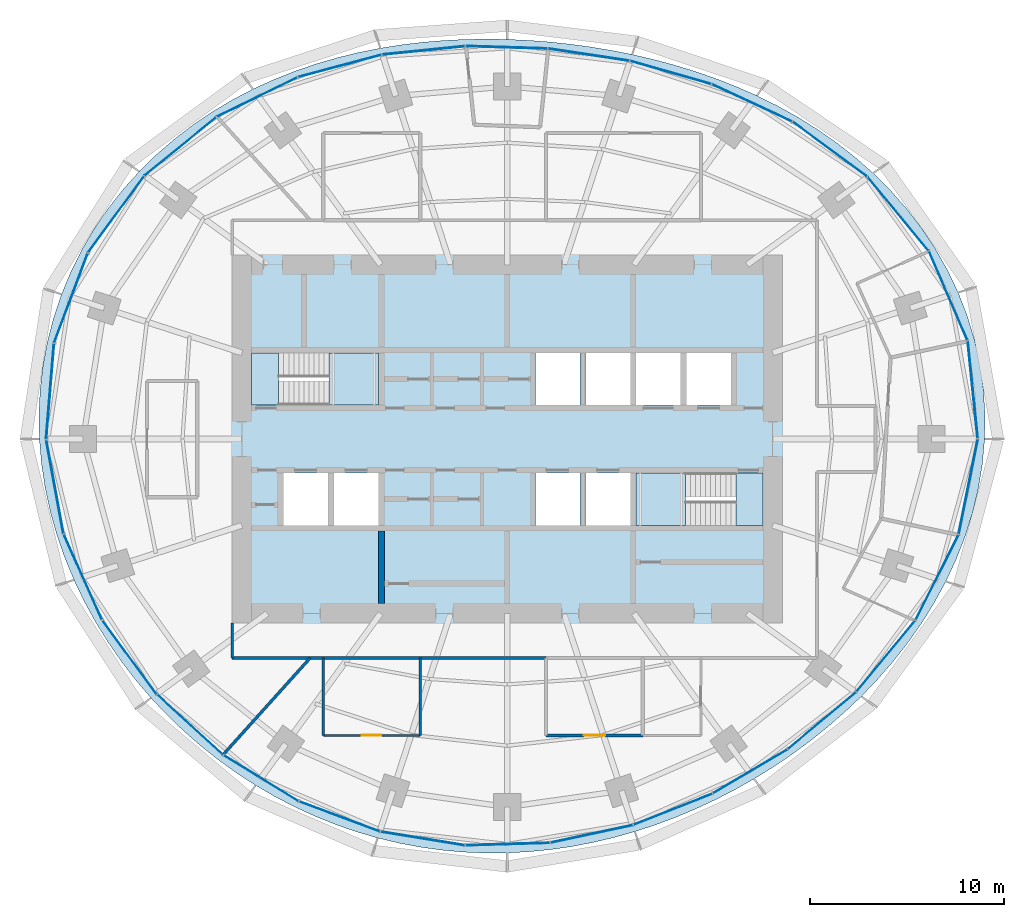
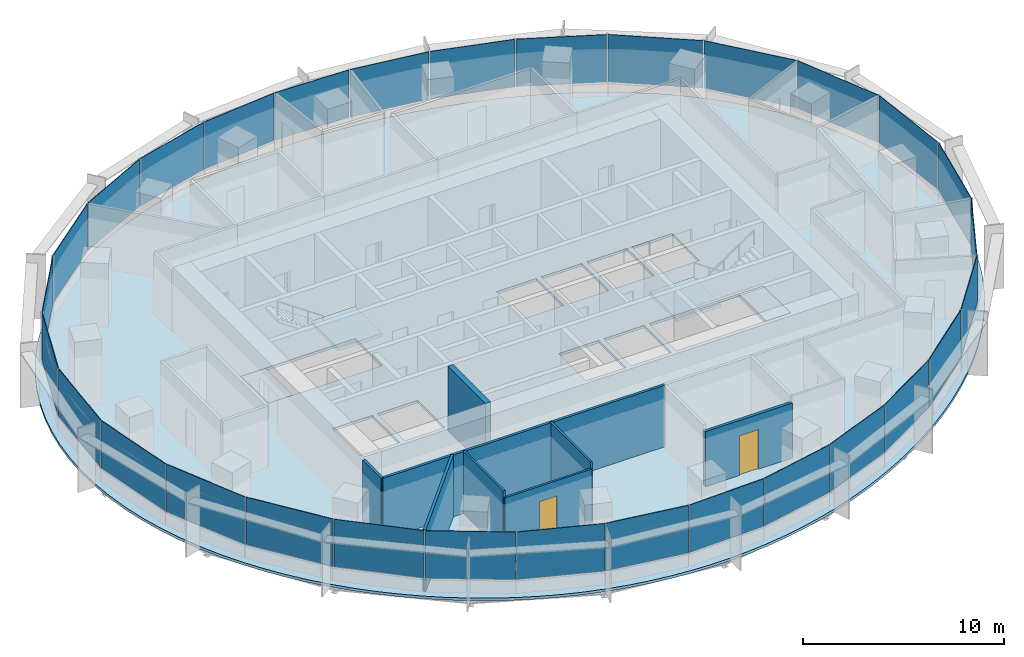
# One storey, part 9 of 15: 30 plates, 8 walls, 5 slabs, 2 doors, 2 openings, 8 elements without a shape of their own.
"""IFC4 building model written with IfcOpenShell, lengths in metres."""

from ifc_helpers import new_model, si_unit, direction, frame, frame_2d, origin, origin_2d, place, context, subcontext, project, spatial, polyline, rectangle, outline, extrude, material, layer, layer_set, type_object, element, fill, aggregate, save


model = new_model("IFC4")

# Units and contexts
model_context = context("Model", 3, precision=1e-05, world=origin(), true_north=direction((0.0, 1.0)))
body_context = subcontext(model_context, "Body", "Model", "MODEL_VIEW")
ifc_project = project(units=[si_unit("LENGTHUNIT", "METRE"), si_unit("AREAUNIT", "SQUARE_METRE"), si_unit("VOLUMEUNIT", "CUBIC_METRE"), si_unit("PLANEANGLEUNIT", "RADIAN"), si_unit("MASSUNIT", "GRAM", prefix="KILO")], contexts=[model_context])

# Site, building, storey
site_placement = place(None, origin())
site = spatial("IfcSite", under=ifc_project, at=site_placement, CompositionType="ELEMENT")
building_placement = place(site_placement, origin())
building = spatial("IfcBuilding", under=site, at=building_placement, Name="Marramba Exchange Tower", CompositionType="ELEMENT")
storey_placement = place(building_placement, frame((0.0, 0.0, 207.199951171875)))
storey = spatial("IfcBuildingStorey", under=building, at=storey_placement, Name="L50", CompositionType="ELEMENT", Elevation=207.199951171875)

# Slab
ifc_material_1 = material(Name="Concrete N40", Category="concrete")
ifc_layer_1 = layer(ifc_material_1, 0.159912109375)
ifc_layer_set_1 = layer_set([ifc_layer_1], Name="Composite floor slab 160")
slab_type_1 = type_object("IfcSlabType", Name="Composite floor slab 160", PredefinedType="FLOOR", material=ifc_layer_set_1)
slab_1_placement = place(storey_placement, frame((0.0, 0.0, -0.159912109375)))
element("IfcSlab", 1, at=slab_1_placement, inside=storey, type_object=slab_type_1, Name="Floor slab L50", PredefinedType="FLOOR", context=body_context, shape_type="SweptSolid", body=[
    extrude(outline(polyline([(24.64404296875, 0.0), (24.661376953125, 1.29248046875), (24.580078125, 2.58349609375), (24.399658203125, 3.864501953125), (24.12109375, 5.127197265625), (23.7470703125, 6.363037109375), (23.281494140625, 7.564697265625), (22.72900390625, 8.724853515625), (22.095947265625, 9.837646484375), (21.388427734375, 10.89794921875), (20.614013671875, 11.901611328125), (19.780029296875, 12.845458984375), (18.894287109375, 13.7275390625), (17.964111328125, 14.547119140625), (16.996826171875, 15.303955078125), (15.9990234375, 15.9990234375), (14.977294921875, 16.634033203125), (13.936767578125, 17.21044921875), (12.882568359375, 17.7314453125), (11.819091796875, 18.19970703125), (10.749267578125, 18.6181640625), (9.67578125, 18.989990234375), (8.60107421875, 19.318115234375), (7.52587890625, 19.60546875), (6.451171875, 19.8544921875), (5.377197265625, 20.067626953125), (4.303466796875, 20.246337890625), (3.229736328125, 20.39208984375), (2.1552734375, 20.50537109375), (1.078857421875, 20.5869140625), (0.0, 20.63623046875), (-1.082275390625, 20.652587890625), (-2.168701171875, 20.634765625), (-3.259765625, 20.580810546875), (-4.35498046875, 20.4892578125), (-5.45458984375, 20.35693359375), (-6.557373046875, 20.181884765625), (-7.662353515625, 19.9609375), (-8.76708984375, 19.691162109375), (-9.869384765625, 19.369873046875), (-10.96630859375, 18.994384765625), (-12.05419921875, 18.561767578125), (-13.128662109375, 18.070068359375), (-14.185546875, 17.517578125), (-15.218994140625, 16.902587890625), (-16.22412109375, 16.22412109375), (-17.195068359375, 15.482421875), (-18.12548828125, 14.677734375), (-19.009521484375, 13.811279296875), (-19.841064453125, 12.885009765625), (-20.614013671875, 11.901611328125), (-21.32275390625, 10.864501953125), (-21.9619140625, 9.778076171875), (-22.52685546875, 8.647216796875), (-23.01318359375, 7.477294921875), (-23.417724609375, 6.274658203125), (-23.73779296875, 5.045654296875), (-23.971923828125, 3.796875), (-24.119384765625, 2.53515625), (-24.180419921875, 1.267333984375), (-24.156005859375, 0.0), (-24.04833984375, -1.26025390625), (-23.860107421875, -2.5078125), (-23.594482421875, -3.737060546875), (-23.25537109375, -4.943115234375), (-22.846923828125, -6.121826171875), (-22.373291015625, -7.26953125), (-21.8388671875, -8.38330078125), (-21.247802734375, -9.460205078125), (-20.604248046875, -10.49853515625), (-19.912109375, -11.496337890625), (-19.174560546875, -12.4521484375), (-18.395263671875, -13.364990234375), (-17.5771484375, -14.233642578125), (-16.72265625, -15.05712890625), (-15.834228515625, -15.834228515625), (-14.914794921875, -16.564453125), (-13.966064453125, -17.24658203125), (-12.990234375, -17.879638671875), (-11.98974609375, -18.46240234375), (-10.96630859375, -18.994384765625), (-9.922607421875, -19.47412109375), (-8.860595703125, -19.901123046875), (-7.78271484375, -20.2744140625), (-6.691162109375, -20.593505859375), (-5.5888671875, -20.858154296875), (-4.478271484375, -21.068115234375), (-3.361328125, -21.22314453125), (-2.2412109375, -21.32373046875), (-1.119873046875, -21.370361328125), (0.0, -21.36376953125), (1.116455078125, -21.3046875), (2.2275390625, -21.194580078125), (3.33154296875, -21.0341796875), (4.426513671875, -20.8251953125), (5.511474609375, -20.56884765625), (6.5849609375, -20.266357421875), (7.646240234375, -19.919189453125), (8.694580078125, -19.528076171875), (9.72900390625, -19.09423828125), (10.749267578125, -18.6181640625), (11.75439453125, -18.100341796875), (12.744140625, -17.541015625), (13.71728515625, -16.939697265625), (14.6728515625, -16.2958984375), (15.609130859375, -15.609130859375), (16.5244140625, -14.878662109375), (17.415771484375, -14.10302734375), (18.280029296875, -13.28125), (19.11376953125, -12.41259765625), (19.912109375, -11.496337890625), (20.669921875, -10.531982421875), (21.3818359375, -9.519775390625), (22.041259765625, -8.4609375), (22.641845703125, -7.356689453125), (23.176513671875, -6.210205078125), (23.638671875, -5.024658203125), (24.022216796875, -3.8046875), (24.32080078125, -2.55615234375), (24.529541015625, -1.28564453125), (24.64404296875, 0.0)]), holes=[polyline([(1.449951171875, 1.75), (3.75, 1.75), (3.75, 4.449951171875), (1.449951171875, 4.449951171875), (1.449951171875, 1.75)]), polyline([(4.050048828125, 1.75), (6.35009765625, 1.75), (6.35009765625, 4.449951171875), (4.050048828125, 4.449951171875), (4.050048828125, 1.75)]), polyline([(1.449951171875, -4.449951171875), (3.75, -4.449951171875), (3.75, -1.75), (1.449951171875, -1.75), (1.449951171875, -4.449951171875)]), polyline([(4.050048828125, -4.449951171875), (6.35009765625, -4.449951171875), (6.35009765625, -1.75), (4.050048828125, -1.75), (4.050048828125, -4.449951171875)]), polyline([(6.64990234375, 1.75), (8.949951171875, 1.75), (8.949951171875, 4.449951171875), (6.64990234375, 4.449951171875), (6.64990234375, 1.75)]), polyline([(-8.949951171875, -4.449951171875), (-6.64990234375, -4.449951171875), (-6.64990234375, -1.75), (-8.949951171875, -1.75), (-8.949951171875, -4.449951171875)]), polyline([(-11.550048828125, -4.449951171875), (-9.25, -4.449951171875), (-9.25, -1.75), (-11.550048828125, -1.75), (-11.550048828125, -4.449951171875)]), polyline([(9.25, 1.75), (11.550048828125, 1.75), (11.550048828125, 4.449951171875), (9.25, 4.449951171875), (9.25, 1.75)]), polyline([(-13.199951171875, 1.75), (-6.64990234375, 1.75), (-6.64990234375, 4.449951171875), (-13.199951171875, 4.449951171875), (-13.199951171875, 1.75)]), polyline([(6.64990234375, -4.449951171875), (13.199951171875, -4.449951171875), (13.199951171875, -1.75), (6.64990234375, -1.75), (6.64990234375, -4.449951171875)])]), origin(), (0.0, 0.0, 1.0), 0.159912109375),
])

# Curtain wall, plates
ifc_material_2 = material(Name="Aluminium framing, bronze anodised", Category="aluminium")
curtain_wall_type = type_object("IfcCurtainWallType", Name="Office ribbon curtain wall", PredefinedType="USERDEFINED", material=ifc_material_2)
curtain_wall_1_placement = place(storey_placement, origin())
curtain_wall_1 = element("IfcCurtainWall", 2, at=curtain_wall_1_placement, inside=storey, type_object=curtain_wall_type, Name="Curtain wall CW4 L50 F01-F05", ObjectType="RIBBON CURTAIN WALL", PredefinedType="USERDEFINED")
ifc_material_3 = material(Name="Laminated double glazed unit 10.76 + 16 + 10.76, bronze tinted", Category="glass")
ifc_layer_2 = layer(ifc_material_3, 0.03759765625)
ifc_layer_set_2 = layer_set([ifc_layer_2], Name="Office ribbon curtain wall panel")
plate_type = type_object("IfcPlateType", Name="Office ribbon curtain wall panel", PredefinedType="CURTAIN_PANEL", material=ifc_layer_set_2)
plate_1_placement = place(storey_placement, frame((24.033203125, 2.556884765625, 0.860107421875), z_axis=(0.0, 0.0, 1.0), x_axis=(-0.101422472607, 0.994843446001, 0.0)))
plate_1 = element("IfcPlate", 3, at=plate_1_placement, type_object=plate_type, Name="CW4 vision panel", PredefinedType="CURTAIN_PANEL", context=body_context, shape_type="SweptSolid", body=[
    extrude(rectangle(XDim=5.0205078125, YDim=0.03759765625, at=origin_2d()), origin(), (0.0, 0.0, 1.0), 2.8798828125),
])
plate_2_placement = place(storey_placement, frame((22.765625, 7.40234375, 0.860107421875), z_axis=(0.0, 0.0, 1.0), x_axis=(-0.396193346946, 0.918167104527, 0.0)))
plate_2 = element("IfcPlate", 4, at=plate_2_placement, type_object=plate_type, Name="CW4 vision panel", PredefinedType="CURTAIN_PANEL", context=body_context, shape_type="SweptSolid", body=[
    extrude(rectangle(XDim=4.99462890625, YDim=0.03759765625, at=origin_2d()), origin(), (0.0, 0.0, 1.0), 2.8798828125),
])
plate_3_placement = place(storey_placement, frame((20.174560546875, 11.631591796875, 0.860107421875), z_axis=(0.0, 0.0, 1.0), x_axis=(-0.637350227411, 0.770574258342, 0.0)))
plate_3 = element("IfcPlate", 5, at=plate_3_placement, type_object=plate_type, Name="CW4 vision panel", PredefinedType="CURTAIN_PANEL", context=body_context, shape_type="SweptSolid", body=[
    extrude(rectangle(XDim=4.90576171875, YDim=0.03759765625, at=origin_2d()), origin(), (0.0, 0.0, 1.0), 2.8798828125),
])
plate_4_placement = place(storey_placement, frame((16.653076171875, 14.965576171875, 0.860107421875), z_axis=(0.0, 0.0, 1.0), x_axis=(-0.804877259395, 0.593441317494, 0.0)))
plate_4 = element("IfcPlate", 6, at=plate_4_placement, type_object=plate_type, Name="CW4 vision panel", PredefinedType="CURTAIN_PANEL", context=body_context, shape_type="SweptSolid", body=[
    extrude(rectangle(XDim=4.745849609375, YDim=0.03759765625, at=origin_2d()), origin(), (0.0, 0.0, 1.0), 2.8798828125),
])
plate_5_placement = place(storey_placement, frame((12.63134765625, 17.357177734375, 0.860107421875), z_axis=(0.0, 0.0, 1.0), x_axis=(-0.906533907301, 0.422133006189, 0.0)))
plate_5 = element("IfcPlate", 7, at=plate_5_placement, type_object=plate_type, Name="CW4 vision panel", PredefinedType="CURTAIN_PANEL", context=body_context, shape_type="SweptSolid", body=[
    extrude(rectangle(XDim=4.53857421875, YDim=0.03759765625, at=origin_2d()), origin(), (0.0, 0.0, 1.0), 2.8798828125),
])
aggregate(curtain_wall_1, [plate_1, plate_2, plate_3, plate_4, plate_5])

curtain_wall_2_placement = place(storey_placement, origin())
curtain_wall_2 = element("IfcCurtainWall", 8, at=curtain_wall_2_placement, inside=storey, type_object=curtain_wall_type, Name="Curtain wall CW4 L50 F06-F10", ObjectType="RIBBON CURTAIN WALL", PredefinedType="USERDEFINED")
plate_6_placement = place(storey_placement, frame((8.4296875, 18.926513671875, 0.860107421875), z_axis=(0.0, 0.0, 1.0), x_axis=(-0.961658954195, 0.274248164656, 0.0)))
plate_6 = element("IfcPlate", 9, at=plate_6_placement, type_object=plate_type, Name="CW4 vision panel", PredefinedType="CURTAIN_PANEL", context=body_context, shape_type="SweptSolid", body=[
    extrude(rectangle(XDim=4.33984375, YDim=0.03759765625, at=origin_2d()), origin(), (0.0, 0.0, 1.0), 2.8798828125),
])
plate_7_placement = place(storey_placement, frame((4.201171875, 19.843994140625, 0.860107421875), z_axis=(0.0, 0.0, 1.0), x_axis=(-0.988868065698, 0.148794988635, 0.0)))
plate_7 = element("IfcPlate", 10, at=plate_7_placement, type_object=plate_type, Name="CW4 vision panel", PredefinedType="CURTAIN_PANEL", context=body_context, shape_type="SweptSolid", body=[
    extrude(rectangle(XDim=4.2119140625, YDim=0.03759765625, at=origin_2d()), origin(), (0.0, 0.0, 1.0), 2.8798828125),
])
plate_8_placement = place(storey_placement, frame((-0.036865234375, 20.222900390625, 0.860107421875), z_axis=(0.0, 0.0, 1.0), x_axis=(-0.999538000143, 0.03039385249, 0.0)))
plate_8 = element("IfcPlate", 11, at=plate_8_placement, type_object=plate_type, Name="CW4 vision panel", PredefinedType="CURTAIN_PANEL", context=body_context, shape_type="SweptSolid", body=[
    extrude(rectangle(XDim=4.19287109375, YDim=0.03759765625, at=origin_2d()), origin(), (0.0, 0.0, 1.0), 2.8798828125),
])
plate_9_placement = place(storey_placement, frame((-4.320556640625, 20.064697265625, 0.860107421875), z_axis=(0.0, 0.0, 1.0), x_axis=(-0.994900357369, -0.100862673507, 0.0)))
plate_9 = element("IfcPlate", 12, at=plate_9_placement, type_object=plate_type, Name="CW4 vision panel", PredefinedType="CURTAIN_PANEL", context=body_context, shape_type="SweptSolid", body=[
    extrude(rectangle(XDim=4.279296875, YDim=0.03759765625, at=origin_2d()), origin(), (0.0, 0.0, 1.0), 2.8798828125),
])
plate_10_placement = place(storey_placement, frame((-8.6494140625, 19.262451171875, 0.860107421875), z_axis=(0.0, 0.0, 1.0), x_axis=(-0.966240653155, -0.257641223778, 0.0)))
plate_10 = element("IfcPlate", 13, at=plate_10_placement, type_object=plate_type, Name="CW4 vision panel", PredefinedType="CURTAIN_PANEL", context=body_context, shape_type="SweptSolid", body=[
    extrude(rectangle(XDim=4.433837890625, YDim=0.03759765625, at=origin_2d()), origin(), (0.0, 0.0, 1.0), 2.8798828125),
])
aggregate(curtain_wall_2, [plate_6, plate_7, plate_8, plate_9, plate_10])

curtain_wall_3_placement = place(storey_placement, origin())
curtain_wall_3 = element("IfcCurtainWall", 14, at=curtain_wall_3_placement, inside=storey, type_object=curtain_wall_type, Name="Curtain wall CW4 L50 F11-F15", ObjectType="RIBBON CURTAIN WALL", PredefinedType="USERDEFINED")
plate_11_placement = place(storey_placement, frame((-12.9150390625, 17.653564453125, 0.860107421875), z_axis=(0.0, 0.0, 1.0), x_axis=(-0.898500518805, -0.438972456661, 0.0)))
plate_11 = element("IfcPlate", 15, at=plate_11_placement, type_object=plate_type, Name="CW4 vision panel", PredefinedType="CURTAIN_PANEL", context=body_context, shape_type="SweptSolid", body=[
    extrude(rectangle(XDim=4.607177734375, YDim=0.03759765625, at=origin_2d()), origin(), (0.0, 0.0, 1.0), 2.8798828125),
])
plate_12_placement = place(storey_placement, frame((-16.87890625, 15.10498046875, 0.860107421875), z_axis=(0.0, 0.0, 1.0), x_axis=(-0.776432169145, -0.630200830464, 0.0)))
plate_12 = element("IfcPlate", 16, at=plate_12_placement, type_object=plate_type, Name="CW4 vision panel", PredefinedType="CURTAIN_PANEL", context=body_context, shape_type="SweptSolid", body=[
    extrude(rectangle(XDim=4.7587890625, YDim=0.03759765625, at=origin_2d()), origin(), (0.0, 0.0, 1.0), 2.8798828125),
])
plate_13_placement = place(storey_placement, frame((-20.2021484375, 11.596435546875, 0.860107421875), z_axis=(0.0, 0.0, 1.0), x_axis=(-0.591962922138, -0.805965197024, 0.0)))
plate_13 = element("IfcPlate", 17, at=plate_13_placement, type_object=plate_type, Name="CW4 vision panel", PredefinedType="CURTAIN_PANEL", context=body_context, shape_type="SweptSolid", body=[
    extrude(rectangle(XDim=4.865478515625, YDim=0.03759765625, at=origin_2d()), origin(), (0.0, 0.0, 1.0), 2.8798828125),
])
plate_14_placement = place(storey_placement, frame((-22.529296875, 7.276123046875, 0.860107421875), z_axis=(0.0, 0.0, 1.0), x_axis=(-0.351951515885, -0.936018231909, 0.0)))
plate_14 = element("IfcPlate", 18, at=plate_14_placement, type_object=plate_type, Name="CW4 vision panel", PredefinedType="CURTAIN_PANEL", context=body_context, shape_type="SweptSolid", body=[
    extrude(rectangle(XDim=4.921630859375, YDim=0.03759765625, at=origin_2d()), origin(), (0.0, 0.0, 1.0), 2.8798828125),
])
plate_15_placement = place(storey_placement, frame((-23.603271484375, 2.45654296875, 0.860107421875), z_axis=(0.0, 0.0, 1.0), x_axis=(-0.082280890264, -0.996609178714, 0.0)))
plate_15 = element("IfcPlate", 19, at=plate_15_placement, type_object=plate_type, Name="CW4 vision panel", PredefinedType="CURTAIN_PANEL", context=body_context, shape_type="SweptSolid", body=[
    extrude(rectangle(XDim=4.9296875, YDim=0.03759765625, at=origin_2d()), origin(), (0.0, 0.0, 1.0), 2.8798828125),
])
aggregate(curtain_wall_3, [plate_11, plate_12, plate_13, plate_14, plate_15])

curtain_wall_4_placement = place(storey_placement, origin())
curtain_wall_4 = element("IfcCurtainWall", 20, at=curtain_wall_4_placement, inside=storey, type_object=curtain_wall_type, Name="Curtain wall CW4 L50 F16-F20", ObjectType="RIBBON CURTAIN WALL", PredefinedType="USERDEFINED")
plate_16_placement = place(storey_placement, frame((-23.354248046875, -2.464599609375, 0.860107421875), z_axis=(0.0, 0.0, 1.0), x_axis=(0.180327438996, -0.983606636184, 0.0)))
plate_16 = element("IfcPlate", 21, at=plate_16_placement, type_object=plate_type, Name="CW4 vision panel", PredefinedType="CURTAIN_PANEL", context=body_context, shape_type="SweptSolid", body=[
    extrude(rectangle(XDim=4.8916015625, YDim=0.03759765625, at=origin_2d()), origin(), (0.0, 0.0, 1.0), 2.8798828125),
])
plate_17_placement = place(storey_placement, frame((-21.908447265625, -7.12158203125, 0.860107421875), z_axis=(0.0, 0.0, 1.0), x_axis=(0.407557580942, -0.913179510401, 0.0)))
plate_17 = element("IfcPlate", 22, at=plate_17_placement, type_object=plate_type, Name="CW4 vision panel", PredefinedType="CURTAIN_PANEL", context=body_context, shape_type="SweptSolid", body=[
    extrude(rectangle(XDim=4.810302734375, YDim=0.03759765625, at=origin_2d()), origin(), (0.0, 0.0, 1.0), 2.8798828125),
])
plate_18_placement = place(storey_placement, frame((-19.50244140625, -11.2626953125, 0.860107421875), z_axis=(0.0, 0.0, 1.0), x_axis=(0.591223103363, -0.806508054547, 0.0)))
plate_18 = element("IfcPlate", 23, at=plate_18_placement, type_object=plate_type, Name="CW4 vision panel", PredefinedType="CURTAIN_PANEL", context=body_context, shape_type="SweptSolid", body=[
    extrude(rectangle(XDim=4.703125, YDim=0.03759765625, at=origin_2d()), origin(), (0.0, 0.0, 1.0), 2.8798828125),
])
plate_19_placement = place(storey_placement, frame((-16.374267578125, -14.752197265625, 0.860107421875), z_axis=(0.0, 0.0, 1.0), x_axis=(0.737203264245, -0.67567103474, 0.0)))
plate_19 = element("IfcPlate", 24, at=plate_19_placement, type_object=plate_type, Name="CW4 vision panel", PredefinedType="CURTAIN_PANEL", context=body_context, shape_type="SweptSolid", body=[
    extrude(rectangle(XDim=4.594970703125, YDim=0.03759765625, at=origin_2d()), origin(), (0.0, 0.0, 1.0), 2.8798828125),
])
plate_20_placement = place(storey_placement, frame((-12.71044921875, -17.513427734375, 0.860107421875), z_axis=(0.0, 0.0, 1.0), x_axis=(0.85230101176, -0.52305160869, 0.0)))
plate_20 = element("IfcPlate", 25, at=plate_20_placement, type_object=plate_type, Name="CW4 vision panel", PredefinedType="CURTAIN_PANEL", context=body_context, shape_type="SweptSolid", body=[
    extrude(rectangle(XDim=4.503173828125, YDim=0.03759765625, at=origin_2d()), origin(), (0.0, 0.0, 1.0), 2.8798828125),
])
aggregate(curtain_wall_4, [plate_16, plate_17, plate_18, plate_19, plate_20])

curtain_wall_5_placement = place(storey_placement, origin())
curtain_wall_5 = element("IfcCurtainWall", 26, at=curtain_wall_5_placement, inside=storey, type_object=curtain_wall_type, Name="Curtain wall CW4 L50 F21-F25", ObjectType="RIBBON CURTAIN WALL", PredefinedType="USERDEFINED")
plate_21_placement = place(storey_placement, frame((-8.6591796875, -19.486572265625, 0.860107421875), z_axis=(0.0, 0.0, 1.0), x_axis=(0.936951583142, -0.349459197687, 0.0)))
plate_21 = element("IfcPlate", 27, at=plate_21_placement, type_object=plate_type, Name="CW4 vision panel", PredefinedType="CURTAIN_PANEL", context=body_context, shape_type="SweptSolid", body=[
    extrude(rectangle(XDim=4.431396484375, YDim=0.03759765625, at=origin_2d()), origin(), (0.0, 0.0, 1.0), 2.8798828125),
])
plate_22_placement = place(storey_placement, frame((-4.3642578125, -20.623046875, 0.860107421875), z_axis=(0.0, 0.0, 1.0), x_axis=(0.986930623159, -0.161145726194, 0.0)))
plate_22 = element("IfcPlate", 28, at=plate_22_placement, type_object=plate_type, Name="CW4 vision panel", PredefinedType="CURTAIN_PANEL", context=body_context, shape_type="SweptSolid", body=[
    extrude(rectangle(XDim=4.37646484375, YDim=0.03759765625, at=origin_2d()), origin(), (0.0, 0.0, 1.0), 2.8798828125),
])
plate_23_placement = place(storey_placement, frame((0.023193359375, -20.91015625, 0.860107421875), z_axis=(0.0, 0.0, 1.0), x_axis=(0.99956791915, 0.029393451762, 0.0)))
plate_23 = element("IfcPlate", 29, at=plate_23_placement, type_object=plate_type, Name="CW4 vision panel", PredefinedType="CURTAIN_PANEL", context=body_context, shape_type="SweptSolid", body=[
    extrude(rectangle(XDim=4.337646484375, YDim=0.03759765625, at=origin_2d()), origin(), (0.0, 0.0, 1.0), 2.8798828125),
])
plate_24_placement = place(storey_placement, frame((4.36328125, -20.3837890625, 0.860107421875), z_axis=(0.0, 0.0, 1.0), x_axis=(0.978058069607, 0.208332456608, 0.0)))
plate_24 = element("IfcPlate", 30, at=plate_24_placement, type_object=plate_type, Name="CW4 vision panel", PredefinedType="CURTAIN_PANEL", context=body_context, shape_type="SweptSolid", body=[
    extrude(rectangle(XDim=4.32177734375, YDim=0.03759765625, at=origin_2d()), origin(), (0.0, 0.0, 1.0), 2.8798828125),
])
plate_25_placement = place(storey_placement, frame((8.553466796875, -19.11328125, 0.860107421875), z_axis=(0.0, 0.0, 1.0), x_axis=(0.93007301435, 0.367374724195, 0.0)))
plate_25 = element("IfcPlate", 31, at=plate_25_placement, type_object=plate_type, Name="CW4 vision panel", PredefinedType="CURTAIN_PANEL", context=body_context, shape_type="SweptSolid", body=[
    extrude(rectangle(XDim=4.345458984375, YDim=0.03759765625, at=origin_2d()), origin(), (0.0, 0.0, 1.0), 2.8798828125),
])
aggregate(curtain_wall_5, [plate_21, plate_22, plate_23, plate_24, plate_25])

curtain_wall_6_placement = place(storey_placement, origin())
curtain_wall_6 = element("IfcCurtainWall", 32, at=curtain_wall_6_placement, inside=storey, type_object=curtain_wall_type, Name="Curtain wall CW4 L50 F26-F30", ObjectType="RIBBON CURTAIN WALL", PredefinedType="USERDEFINED")
plate_26_placement = place(storey_placement, frame((12.5322265625, -17.16015625, 0.860107421875), z_axis=(0.0, 0.0, 1.0), x_axis=(0.861350833897, 0.508010571686, 0.0)))
plate_26 = element("IfcPlate", 33, at=plate_26_placement, type_object=plate_type, Name="CW4 vision panel", PredefinedType="CURTAIN_PANEL", context=body_context, shape_type="SweptSolid", body=[
    extrude(rectangle(XDim=4.426513671875, YDim=0.03759765625, at=origin_2d()), origin(), (0.0, 0.0, 1.0), 2.8798828125),
])
plate_27_placement = place(storey_placement, frame((16.240966796875, -14.536376953125, 0.860107421875), z_axis=(0.0, 0.0, 1.0), x_axis=(0.768736798421, 0.639565270127, 0.0)))
plate_27 = element("IfcPlate", 34, at=plate_27_placement, type_object=plate_type, Name="CW4 vision panel", PredefinedType="CURTAIN_PANEL", context=body_context, shape_type="SweptSolid", body=[
    extrude(rectangle(XDim=4.568603515625, YDim=0.03759765625, at=origin_2d()), origin(), (0.0, 0.0, 1.0), 2.8798828125),
])
plate_28_placement = place(storey_placement, frame((19.548583984375, -11.203369140625, 0.860107421875), z_axis=(0.0, 0.0, 1.0), x_axis=(0.63814998673, 0.769912069289, 0.0)))
plate_28 = element("IfcPlate", 35, at=plate_28_placement, type_object=plate_type, Name="CW4 vision panel", PredefinedType="CURTAIN_PANEL", context=body_context, shape_type="SweptSolid", body=[
    extrude(rectangle(XDim=4.7431640625, YDim=0.03759765625, at=origin_2d()), origin(), (0.0, 0.0, 1.0), 2.8798828125),
])
plate_29_placement = place(storey_placement, frame((22.19287109375, -7.137939453125, 0.860107421875), z_axis=(0.0, 0.0, 1.0), x_axis=(0.450673083956, 0.892689067591, 0.0)))
plate_29 = element("IfcPlate", 36, at=plate_29_placement, type_object=plate_type, Name="CW4 vision panel", PredefinedType="CURTAIN_PANEL", context=body_context, shape_type="SweptSolid", body=[
    extrude(rectangle(XDim=4.897705078125, YDim=0.03759765625, at=origin_2d()), origin(), (0.0, 0.0, 1.0), 2.8798828125),
])
plate_30_placement = place(storey_placement, frame((23.801025390625, -2.446533203125, 0.860107421875), z_axis=(0.0, 0.0, 1.0), x_axis=(0.197495405316, 0.980303812539, 0.0)))
plate_30 = element("IfcPlate", 37, at=plate_30_placement, type_object=plate_type, Name="CW4 vision panel", PredefinedType="CURTAIN_PANEL", context=body_context, shape_type="SweptSolid", body=[
    extrude(rectangle(XDim=4.9912109375, YDim=0.03759765625, at=origin_2d()), origin(), (0.0, 0.0, 1.0), 2.8798828125),
])
aggregate(curtain_wall_6, [plate_26, plate_27, plate_28, plate_29, plate_30])

# Stair, slabs
ifc_material_4 = material(Name="Concrete N40 (40 MPa)", Category="concrete")
stair_type_1 = type_object("IfcStairType", Name="Exit stair ST1 3900 x 1250", PredefinedType="HALF_TURN_STAIR", material=ifc_material_4)
stair_1_placement = place(storey_placement, origin())
stair_1 = element("IfcStair", 38, at=stair_1_placement, inside=storey, type_object=stair_type_1, Name="Exit stair ST1 L50", PredefinedType="HALF_TURN_STAIR")
ifc_layer_3 = layer(ifc_material_4, 0.199951171875)
ifc_layer_set_3 = layer_set([ifc_layer_3], Name="Stair landing 200")
slab_type_2 = type_object("IfcSlabType", Name="Stair landing 200", PredefinedType="LANDING", material=ifc_layer_set_3)
slab_2_placement = place(storey_placement, frame((0.0, 0.0, -0.199951171875)))
slab_2 = element("IfcSlab", 39, at=slab_2_placement, type_object=slab_type_2, Name="ST1 landing 1", PredefinedType="LANDING", context=body_context, shape_type="SweptSolid", body=[
    extrude(outline(polyline([(-13.199951171875, 1.75), (-11.800048828125, 1.75), (-11.800048828125, 4.449951171875), (-13.199951171875, 4.449951171875), (-13.199951171875, 1.75)])), origin(), (0.0, 0.0, 1.0), 0.199951171875),
])
slab_3_placement = place(storey_placement, frame((0.0, 0.0, 1.75)))
slab_3 = element("IfcSlab", 40, at=slab_3_placement, type_object=slab_type_2, Name="ST1 landing 2", PredefinedType="LANDING", context=body_context, shape_type="SweptSolid", body=[
    extrude(outline(polyline([(-9.199951171875, 1.75), (-6.64990234375, 1.75), (-6.64990234375, 4.449951171875), (-9.199951171875, 4.449951171875), (-9.199951171875, 1.75)])), origin(), (0.0, 0.0, 1.0), 0.199951171875),
])
aggregate(stair_1, [slab_2, slab_3])

stair_type_2 = type_object("IfcStairType", Name="Exit stair ST2 3900 x 1250", PredefinedType="HALF_TURN_STAIR", material=ifc_material_4)
stair_2_placement = place(storey_placement, origin())
stair_2 = element("IfcStair", 41, at=stair_2_placement, inside=storey, type_object=stair_type_2, Name="Exit stair ST2 L50", PredefinedType="HALF_TURN_STAIR")
slab_4_placement = place(storey_placement, frame((0.0, 0.0, -0.199951171875)))
slab_4 = element("IfcSlab", 42, at=slab_4_placement, type_object=slab_type_2, Name="ST2 landing 1", PredefinedType="LANDING", context=body_context, shape_type="SweptSolid", body=[
    extrude(outline(polyline([(11.800048828125, -4.449951171875), (13.199951171875, -4.449951171875), (13.199951171875, -1.75), (11.800048828125, -1.75), (11.800048828125, -4.449951171875)])), origin(), (0.0, 0.0, 1.0), 0.199951171875),
])
slab_5_placement = place(storey_placement, frame((0.0, 0.0, 1.75)))
slab_5 = element("IfcSlab", 43, at=slab_5_placement, type_object=slab_type_2, Name="ST2 landing 2", PredefinedType="LANDING", context=body_context, shape_type="SweptSolid", body=[
    extrude(outline(polyline([(6.64990234375, -4.449951171875), (9.199951171875, -4.449951171875), (9.199951171875, -1.75), (6.64990234375, -1.75), (6.64990234375, -4.449951171875)])), origin(), (0.0, 0.0, 1.0), 0.199951171875),
])
aggregate(stair_2, [slab_4, slab_5])

# Wall, opening, door
ifc_material_5 = material(Name="Plasterboard on staggered double steel studs, acoustic insulation", Category="steel")
ifc_layer_4 = layer(ifc_material_5, 0.169921875)
ifc_layer_set_4 = layer_set([ifc_layer_4], Name="Acoustic partition 170")
wall_type_1 = type_object("IfcWallType", Name="Acoustic partition 170", PredefinedType="PARTITIONING", material=ifc_layer_set_4)
wall_1_placement = place(storey_placement, frame((2.0, -15.300048828125, 0.0), z_axis=(0.0, 0.0, 1.0), x_axis=(1.0, 0.0, 0.0)))
wall_1 = element("IfcWall", 44, at=wall_1_placement, inside=storey, type_object=wall_type_1, Name="Acoustic partition L50 09", PredefinedType="PARTITIONING", context=body_context, shape_type="SweptSolid", body=[
    extrude(rectangle(XDim=5.0, YDim=0.169921875, at=frame_2d((2.5, 0.0))), origin(), (0.0, 0.0, 1.0), 3.333984375),
])
opening_1_placement = place(wall_1_placement, frame((1.949951171875, 0.0, 0.0)))
opening_1 = element("IfcOpeningElement", 45, at=opening_1_placement, cuts=wall_1, Name="Opening D15", PredefinedType="OPENING", context=body_context, shape_type="SweptSolid", body=[
    extrude(rectangle(XDim=1.10009765625, YDim=2.39990234375, at=frame_2d((0.550048828125, 1.199951171875))), frame((0.0, 0.094970703125, 0.0), z_axis=(0.0, -1.0, 0.0), x_axis=(1.0, 0.0, 0.0)), (0.0, 0.0, 1.0), 0.18994140625),
])
ifc_material_6 = material(Name="Timber door", Category="wood")
door_type_1 = type_object("IfcDoorType", Name="Glazed meeting room door 1100x2400", OperationType="SINGLE_SWING_LEFT", PredefinedType="DOOR", material=ifc_material_6)
door_1_placement = place(opening_1_placement, origin())
door_1 = element("IfcDoor", 46, at=door_1_placement, inside=storey, type_object=door_type_1, Name="D15 Meeting Room 3 L50", OperationType="SINGLE_SWING_RIGHT", OverallHeight=2.39990234375, OverallWidth=1.10009765625, PredefinedType="DOOR", context=body_context, shape_type="SweptSolid", body=[
    extrude(rectangle(XDim=1.10009765625, YDim=2.39990234375, at=frame_2d((0.550048828125, 1.199951171875))), frame((0.0, 0.02490234375, 0.0), z_axis=(0.0, -1.0, 0.0), x_axis=(1.0, 0.0, 0.0)), (0.0, 0.0, 1.0), 0.050048828125),
])
fill(opening_1, door_1)

# Walls
ifc_material_7 = material(Name="Concrete N50", Category="concrete")
ifc_layer_5 = layer(ifc_material_7, 0.300048828125)
ifc_layer_set_5 = layer_set([ifc_layer_5], Name="Core wall 300")
wall_type_2 = type_object("IfcWallType", Name="Core wall 300", PredefinedType="SHEAR", material=ifc_layer_set_5)
wall_2_placement = place(storey_placement, frame((-6.5, -4.75, 0.0), z_axis=(0.0, 0.0, 1.0), x_axis=(0.0, -1.0, 0.0)))
element("IfcWall", 47, at=wall_2_placement, inside=storey, type_object=wall_type_2, Name="Core wall X0Sb L50", PredefinedType="SHEAR", context=body_context, shape_type="SweptSolid", body=[
    extrude(rectangle(XDim=3.75, YDim=0.300048828125, at=frame_2d((1.875, 0.0))), origin(), (0.0, 0.0, 1.0), 3.900146484375),
])
ifc_material_8 = material(Name="Plasterboard on steel studs", Category="steel")
ifc_layer_6 = layer(ifc_material_8, 0.1201171875)
ifc_layer_set_6 = layer_set([ifc_layer_6], Name="Partition 120")
wall_type_3 = type_object("IfcWallType", Name="Partition 120", PredefinedType="PARTITIONING", material=ifc_layer_set_6)
wall_3_placement = place(storey_placement, frame((-9.5, -11.300048828125, 0.0), z_axis=(0.0, 0.0, 1.0), x_axis=(0.0, -1.0, 0.0)))
element("IfcWall", 48, at=wall_3_placement, inside=storey, type_object=wall_type_3, Name="Partition L50 04", PredefinedType="PARTITIONING", context=body_context, shape_type="SweptSolid", body=[
    extrude(rectangle(XDim=4.0, YDim=0.1201171875, at=frame_2d((2.0, 0.0))), origin(), (0.0, 0.0, 1.0), 3.739990234375),
])

# Wall, opening, door
wall_4_placement = place(storey_placement, frame((-9.5, -15.300048828125, 0.0), z_axis=(0.0, 0.0, 1.0), x_axis=(1.0, 0.0, 0.0)))
wall_4 = element("IfcWall", 49, at=wall_4_placement, inside=storey, type_object=wall_type_3, Name="Partition L50 06", PredefinedType="PARTITIONING", context=body_context, shape_type="SweptSolid", body=[
    extrude(rectangle(XDim=5.0, YDim=0.1201171875, at=frame_2d((2.5, 0.0))), origin(), (0.0, 0.0, 1.0), 3.333984375),
])
opening_2_placement = place(wall_4_placement, frame((2.0, 0.0, 0.0)))
opening_2 = element("IfcOpeningElement", 50, at=opening_2_placement, cuts=wall_4, Name="Opening D9", PredefinedType="OPENING", context=body_context, shape_type="SweptSolid", body=[
    extrude(rectangle(XDim=1.0, YDim=2.39990234375, at=frame_2d((0.5, 1.199951171875))), frame((0.0, 0.070068359375, 0.0), z_axis=(0.0, -1.0, 0.0), x_axis=(1.0, 0.0, 0.0)), (0.0, 0.0, 1.0), 0.14013671875),
])
door_type_2 = type_object("IfcDoorType", Name="Room door 1000x2400", OperationType="SINGLE_SWING_LEFT", PredefinedType="DOOR", material=ifc_material_6)
door_2_placement = place(opening_2_placement, origin())
door_2 = element("IfcDoor", 51, at=door_2_placement, inside=storey, type_object=door_type_2, Name="D9 Pantry 2 L50", OperationType="SINGLE_SWING_RIGHT", OverallHeight=2.39990234375, OverallWidth=1.0, PredefinedType="DOOR", context=body_context, shape_type="SweptSolid", body=[
    extrude(rectangle(XDim=1.0, YDim=2.39990234375, at=frame_2d((0.5, 1.199951171875))), frame((0.0, 0.02490234375, 0.0), z_axis=(0.0, -1.0, 0.0), x_axis=(1.0, 0.0, 0.0)), (0.0, 0.0, 1.0), 0.050048828125),
])
fill(opening_2, door_2)

# Walls
wall_5_placement = place(storey_placement, frame((-4.5, -15.300048828125, 0.0), z_axis=(0.0, 0.0, 1.0), x_axis=(0.0, 1.0, 0.0)))
element("IfcWall", 52, at=wall_5_placement, inside=storey, type_object=wall_type_3, Name="Partition L50 07", PredefinedType="PARTITIONING", context=body_context, shape_type="SweptSolid", body=[
    extrude(rectangle(XDim=4.0, YDim=0.1201171875, at=frame_2d((2.0, 0.0))), origin(), (0.0, 0.0, 1.0), 3.739990234375),
])
ifc_material_9 = material(Name="Fire-rated plasterboard on steel studs, acoustic insulation", Category="steel")
ifc_layer_7 = layer(ifc_material_9, 0.14990234375)
ifc_layer_set_7 = layer_set([ifc_layer_7], Name="Tenancy wall 150")
wall_type_4 = type_object("IfcWallType", Name="Tenancy wall 150", PredefinedType="PARTITIONING", material=ifc_layer_set_7)
wall_6_placement = place(storey_placement, frame((-14.199951171875, -9.5, 0.0), z_axis=(0.0, 0.0, 1.0), x_axis=(0.0, -1.0, 0.0)))
element("IfcWall", 53, at=wall_6_placement, inside=storey, type_object=wall_type_4, Name="Tenancy wall L50 02", PredefinedType="PARTITIONING", context=body_context, shape_type="SweptSolid", body=[
    extrude(rectangle(XDim=1.800048828125, YDim=0.14990234375, at=frame_2d((0.89990234375, 0.0))), origin(), (0.0, 0.0, 1.0), 3.739990234375),
])
wall_7_placement = place(storey_placement, frame((-14.626953125, -16.2451171875, 0.0), z_axis=(0.0, 0.0, 1.0), x_axis=(0.669116748293, 0.743157303102, 0.0)))
element("IfcWall", 54, at=wall_7_placement, inside=storey, type_object=wall_type_4, Name="Tenancy wall L50 03", PredefinedType="PARTITIONING", context=body_context, shape_type="SweptSolid", body=[
    extrude(rectangle(XDim=6.654052734375, YDim=0.14990234375, at=frame_2d((3.3271484375, 0.0))), origin(), (0.0, 0.0, 1.0), 3.739990234375),
])
wall_8_placement = place(storey_placement, frame((-14.199951171875, -11.300048828125, 0.0), z_axis=(0.0, 0.0, 1.0), x_axis=(1.0, 0.0, 0.0)))
element("IfcWall", 55, at=wall_8_placement, inside=storey, type_object=wall_type_4, Name="Tenancy wall L50 05", PredefinedType="PARTITIONING", context=body_context, shape_type="SweptSolid", body=[
    extrude(rectangle(XDim=16.199951171875, YDim=0.14990234375, at=frame_2d((8.10009765625, 0.0))), origin(), (0.0, 0.0, 1.0), 3.739990234375),
])

save(model, "model.ifc")
